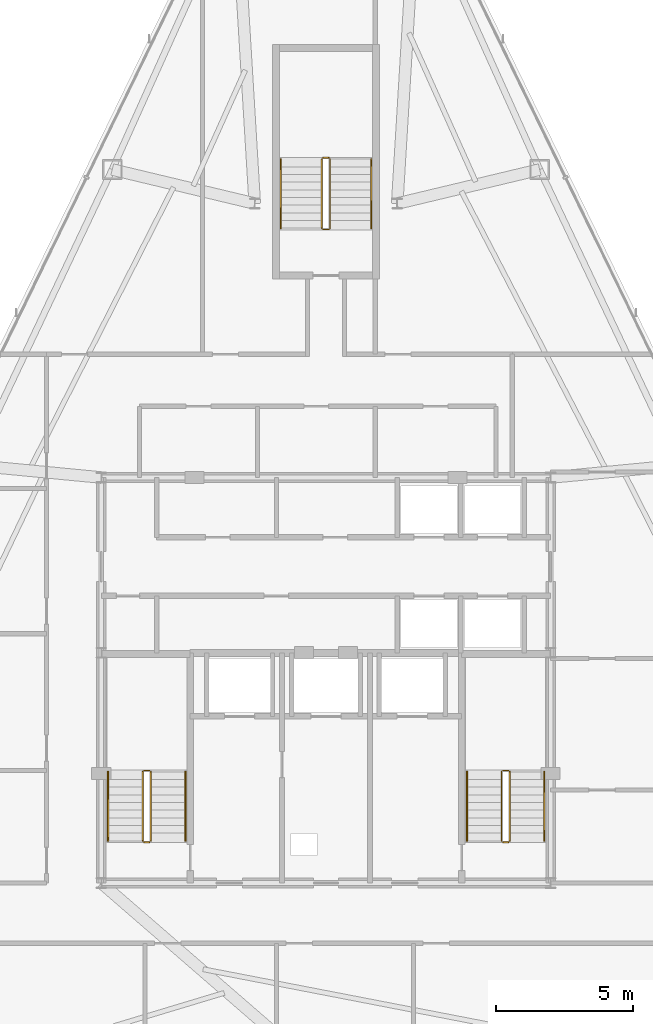
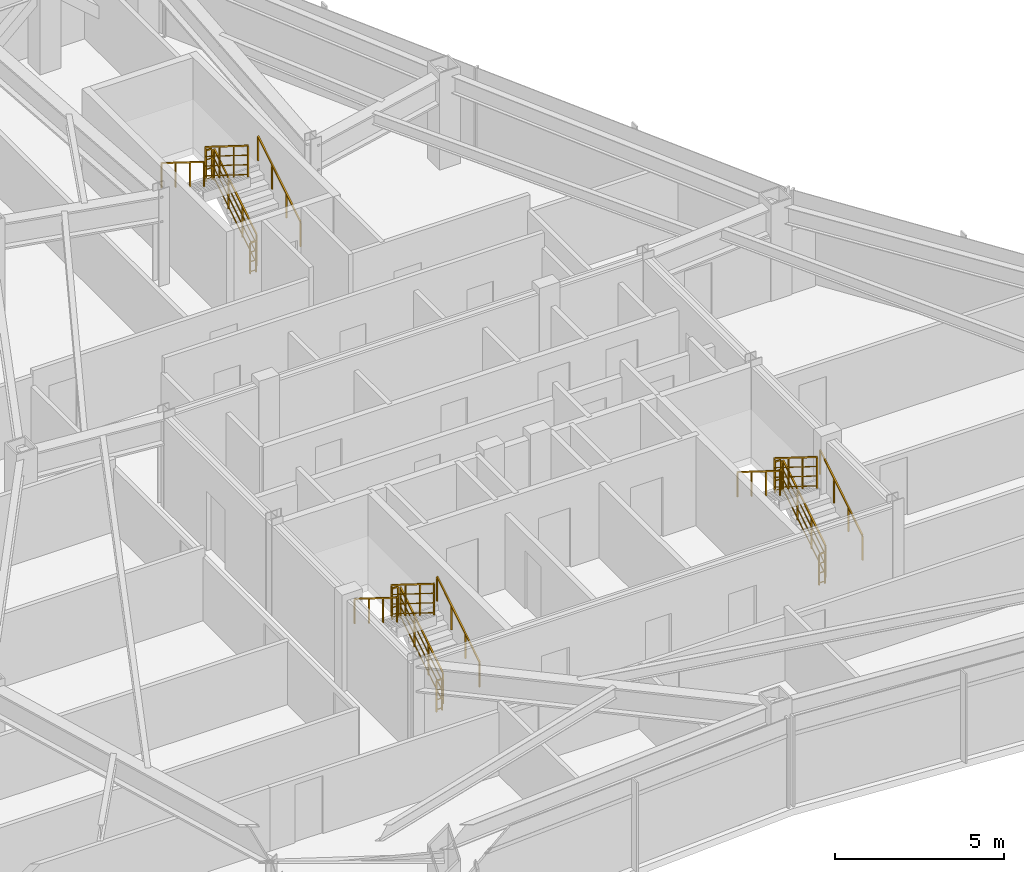
# One storey, part 12 of 12: 18 railings.
"""IFC4 building model written with IfcOpenShell, lengths in metres."""

from ifc_helpers import new_model, si_unit, direction, frame, origin, origin_2d, place, context, subcontext, project, spatial, rectangle, extrude, material, type_object, element, save


model = new_model("IFC4")

# Units and contexts
model_context = context("Model", 3, precision=1e-05, world=origin(), true_north=direction((0.0, 1.0)))
body_context = subcontext(model_context, "Body", "Model", "MODEL_VIEW")
ifc_project = project(units=[si_unit("LENGTHUNIT", "METRE"), si_unit("AREAUNIT", "SQUARE_METRE"), si_unit("VOLUMEUNIT", "CUBIC_METRE"), si_unit("PLANEANGLEUNIT", "RADIAN"), si_unit("MASSUNIT", "GRAM", prefix="KILO")], contexts=[model_context])

# Site, building, storey
site_placement = place(None, origin())
site = spatial("IfcSite", under=ifc_project, at=site_placement, CompositionType="ELEMENT")
building_placement = place(site_placement, origin())
building = spatial("IfcBuilding", under=site, at=building_placement, Name="Varakhsha Concourse Tower", CompositionType="ELEMENT")
storey_placement = place(building_placement, frame((0.0, 0.0, 204.89990234375)))
storey = spatial("IfcBuildingStorey", under=building, at=storey_placement, Name="L58", CompositionType="ELEMENT", Elevation=204.89990234375)

# Railings
ifc_material = material(Name="Brushed Austenitic Stainless Steel AISI 316", Category="steel")
railing_type_1 = type_object("IfcRailingType", Name="RL-STAIR-GUARD-1100", PredefinedType="GUARDRAIL", material=ifc_material)
railing_1_placement = place(storey_placement, frame((33.610107421875, 17.93994140625, 0.175048828125)))
element("IfcRailing", 1, at=railing_1_placement, inside=storey, type_object=railing_type_1, Name="L58 ST1 stair guard 1", PredefinedType="GUARDRAIL", context=body_context, shape_type="SweptSolid", body=[
    extrude(rectangle(XDim=0.048095703125, YDim=0.048095703125, at=origin_2d()), frame((0.0, 0.0, 1.1259765625), z_axis=(0.0, 0.848007534815, 0.529984170421), x_axis=(-1.0, 0.0, 0.0)), (0.0, 0.0, 1.0), 2.9716796875),
    extrude(rectangle(XDim=0.028076171875, YDim=0.028076171875, at=origin_2d()), frame((0.0, 0.0, 0.080078125), z_axis=(0.0, 0.848007534815, 0.529984170421), x_axis=(-1.0, 0.0, 0.0)), (0.0, 0.0, 1.0), 2.9716796875),
    extrude(rectangle(XDim=0.028076171875, YDim=0.028076171875, at=origin_2d()), frame((0.0, 0.0, 0.43701171875), z_axis=(0.0, 0.848007534815, 0.529984170421), x_axis=(-1.0, 0.0, 0.0)), (0.0, 0.0, 1.0), 2.9716796875),
    extrude(rectangle(XDim=0.028076171875, YDim=0.028076171875, at=origin_2d()), frame((0.0, 0.0, 0.781982421875), z_axis=(0.0, 0.848007534815, 0.529984170421), x_axis=(-1.0, 0.0, 0.0)), (0.0, 0.0, 1.0), 2.9716796875),
    extrude(rectangle(XDim=0.0419921875, YDim=0.0419921875, at=origin_2d()), origin(), (0.0, 0.0, 1.0), 1.101806640625),
    extrude(rectangle(XDim=0.0419921875, YDim=0.0419921875, at=origin_2d()), frame((0.0, 0.840087890625, 0.52490234375)), (0.0, 0.0, 1.0), 1.101806640625),
    extrude(rectangle(XDim=0.0419921875, YDim=0.0419921875, at=origin_2d()), frame((0.0, 1.679931640625, 1.050048828125)), (0.0, 0.0, 1.0), 1.101806640625),
    extrude(rectangle(XDim=0.0419921875, YDim=0.0419921875, at=origin_2d()), frame((0.0, 2.52001953125, 1.574951171875)), (0.0, 0.0, 1.0), 1.101806640625),
])
railing_2_placement = place(storey_placement, frame((33.56005859375, 20.510009765625, 1.75)))
element("IfcRailing", 2, at=railing_2_placement, inside=storey, type_object=railing_type_1, Name="L58 ST1 stair guard 2", PredefinedType="GUARDRAIL", context=body_context, shape_type="SweptSolid", body=[
    extrude(rectangle(XDim=0.048095703125, YDim=0.048095703125, at=origin_2d()), frame((0.0, 0.0, 1.1259765625), z_axis=(-1.0, 0.0, 0.0), x_axis=(0.0, -1.0, 0.0)), (0.0, 0.0, 1.0), 0.199951171875),
    extrude(rectangle(XDim=0.028076171875, YDim=0.028076171875, at=origin_2d()), frame((0.0, 0.0, 0.080078125), z_axis=(-1.0, 0.0, 0.0), x_axis=(0.0, -1.0, 0.0)), (0.0, 0.0, 1.0), 0.199951171875),
    extrude(rectangle(XDim=0.028076171875, YDim=0.028076171875, at=origin_2d()), frame((0.0, 0.0, 0.43701171875), z_axis=(-1.0, 0.0, 0.0), x_axis=(0.0, -1.0, 0.0)), (0.0, 0.0, 1.0), 0.199951171875),
    extrude(rectangle(XDim=0.028076171875, YDim=0.028076171875, at=origin_2d()), frame((0.0, 0.0, 0.781982421875), z_axis=(-1.0, 0.0, 0.0), x_axis=(0.0, -1.0, 0.0)), (0.0, 0.0, 1.0), 0.199951171875),
    extrude(rectangle(XDim=0.0419921875, YDim=0.0419921875, at=origin_2d()), origin(), (0.0, 0.0, 1.0), 1.101806640625),
    extrude(rectangle(XDim=0.0419921875, YDim=0.0419921875, at=origin_2d()), frame((-0.199951171875, 0.0, 0.0)), (0.0, 0.0, 1.0), 1.101806640625),
])
railing_3_placement = place(storey_placement, frame((33.31005859375, 20.4599609375, 1.925048828125)))
element("IfcRailing", 3, at=railing_3_placement, inside=storey, type_object=railing_type_1, Name="L58 ST1 stair guard 3", PredefinedType="GUARDRAIL", context=body_context, shape_type="SweptSolid", body=[
    extrude(rectangle(XDim=0.048095703125, YDim=0.048095703125, at=origin_2d()), frame((0.0, 0.0, 1.1259765625), z_axis=(0.0, -0.848007534815, 0.529984170421), x_axis=(1.0, 0.0, 0.0)), (0.0, 0.0, 1.0), 2.9716796875),
    extrude(rectangle(XDim=0.028076171875, YDim=0.028076171875, at=origin_2d()), frame((0.0, 0.0, 0.080078125), z_axis=(0.0, -0.848007534815, 0.529984170421), x_axis=(1.0, 0.0, 0.0)), (0.0, 0.0, 1.0), 2.9716796875),
    extrude(rectangle(XDim=0.028076171875, YDim=0.028076171875, at=origin_2d()), frame((0.0, 0.0, 0.43701171875), z_axis=(0.0, -0.848007534815, 0.529984170421), x_axis=(1.0, 0.0, 0.0)), (0.0, 0.0, 1.0), 2.9716796875),
    extrude(rectangle(XDim=0.028076171875, YDim=0.028076171875, at=origin_2d()), frame((0.0, 0.0, 0.781982421875), z_axis=(0.0, -0.848007534815, 0.529984170421), x_axis=(1.0, 0.0, 0.0)), (0.0, 0.0, 1.0), 2.9716796875),
    extrude(rectangle(XDim=0.0419921875, YDim=0.0419921875, at=origin_2d()), origin(), (0.0, 0.0, 1.0), 1.101806640625),
    extrude(rectangle(XDim=0.0419921875, YDim=0.0419921875, at=origin_2d()), frame((0.0, -0.840087890625, 0.52490234375)), (0.0, 0.0, 1.0), 1.101806640625),
    extrude(rectangle(XDim=0.0419921875, YDim=0.0419921875, at=origin_2d()), frame((0.0, -1.679931640625, 1.050048828125)), (0.0, 0.0, 1.0), 1.101806640625),
    extrude(rectangle(XDim=0.0419921875, YDim=0.0419921875, at=origin_2d()), frame((0.0, -2.52001953125, 1.574951171875)), (0.0, 0.0, 1.0), 1.101806640625),
])
railing_4_placement = place(storey_placement, frame((33.56005859375, 17.889892578125, 0.0)))
element("IfcRailing", 4, at=railing_4_placement, inside=storey, type_object=railing_type_1, Name="L58 ST1 stair guard 4", PredefinedType="GUARDRAIL", context=body_context, shape_type="SweptSolid", body=[
    extrude(rectangle(XDim=0.048095703125, YDim=0.048095703125, at=origin_2d()), frame((0.0, 0.0, 1.1259765625), z_axis=(-1.0, 0.0, 0.0), x_axis=(0.0, -1.0, 0.0)), (0.0, 0.0, 1.0), 0.199951171875),
    extrude(rectangle(XDim=0.028076171875, YDim=0.028076171875, at=origin_2d()), frame((0.0, 0.0, 0.080078125), z_axis=(-1.0, 0.0, 0.0), x_axis=(0.0, -1.0, 0.0)), (0.0, 0.0, 1.0), 0.199951171875),
    extrude(rectangle(XDim=0.028076171875, YDim=0.028076171875, at=origin_2d()), frame((0.0, 0.0, 0.43701171875), z_axis=(-1.0, 0.0, 0.0), x_axis=(0.0, -1.0, 0.0)), (0.0, 0.0, 1.0), 0.199951171875),
    extrude(rectangle(XDim=0.028076171875, YDim=0.028076171875, at=origin_2d()), frame((0.0, 0.0, 0.781982421875), z_axis=(-1.0, 0.0, 0.0), x_axis=(0.0, -1.0, 0.0)), (0.0, 0.0, 1.0), 0.199951171875),
    extrude(rectangle(XDim=0.0419921875, YDim=0.0419921875, at=origin_2d()), origin(), (0.0, 0.0, 1.0), 1.101806640625),
    extrude(rectangle(XDim=0.0419921875, YDim=0.0419921875, at=origin_2d()), frame((-0.199951171875, 0.0, 0.0)), (0.0, 0.0, 1.0), 1.101806640625),
])
railing_5_placement = place(storey_placement, frame((46.7099609375, 17.93994140625, 0.175048828125)))
element("IfcRailing", 5, at=railing_5_placement, inside=storey, type_object=railing_type_1, Name="L58 ST2 stair guard 1", PredefinedType="GUARDRAIL", context=body_context, shape_type="SweptSolid", body=[
    extrude(rectangle(XDim=0.048095703125, YDim=0.048095703125, at=origin_2d()), frame((0.0, 0.0, 1.1259765625), z_axis=(0.0, 0.848007534815, 0.529984170421), x_axis=(-1.0, 0.0, 0.0)), (0.0, 0.0, 1.0), 2.9716796875),
    extrude(rectangle(XDim=0.028076171875, YDim=0.028076171875, at=origin_2d()), frame((0.0, 0.0, 0.080078125), z_axis=(0.0, 0.848007534815, 0.529984170421), x_axis=(-1.0, 0.0, 0.0)), (0.0, 0.0, 1.0), 2.9716796875),
    extrude(rectangle(XDim=0.028076171875, YDim=0.028076171875, at=origin_2d()), frame((0.0, 0.0, 0.43701171875), z_axis=(0.0, 0.848007534815, 0.529984170421), x_axis=(-1.0, 0.0, 0.0)), (0.0, 0.0, 1.0), 2.9716796875),
    extrude(rectangle(XDim=0.028076171875, YDim=0.028076171875, at=origin_2d()), frame((0.0, 0.0, 0.781982421875), z_axis=(0.0, 0.848007534815, 0.529984170421), x_axis=(-1.0, 0.0, 0.0)), (0.0, 0.0, 1.0), 2.9716796875),
    extrude(rectangle(XDim=0.0419921875, YDim=0.0419921875, at=origin_2d()), origin(), (0.0, 0.0, 1.0), 1.101806640625),
    extrude(rectangle(XDim=0.0419921875, YDim=0.0419921875, at=origin_2d()), frame((0.0, 0.840087890625, 0.52490234375)), (0.0, 0.0, 1.0), 1.101806640625),
    extrude(rectangle(XDim=0.0419921875, YDim=0.0419921875, at=origin_2d()), frame((0.0, 1.679931640625, 1.050048828125)), (0.0, 0.0, 1.0), 1.101806640625),
    extrude(rectangle(XDim=0.0419921875, YDim=0.0419921875, at=origin_2d()), frame((0.0, 2.52001953125, 1.574951171875)), (0.0, 0.0, 1.0), 1.101806640625),
])
railing_6_placement = place(storey_placement, frame((46.659912109375, 20.510009765625, 1.75)))
element("IfcRailing", 6, at=railing_6_placement, inside=storey, type_object=railing_type_1, Name="L58 ST2 stair guard 2", PredefinedType="GUARDRAIL", context=body_context, shape_type="SweptSolid", body=[
    extrude(rectangle(XDim=0.048095703125, YDim=0.048095703125, at=origin_2d()), frame((0.0, 0.0, 1.1259765625), z_axis=(-1.0, 0.0, 0.0), x_axis=(0.0, -1.0, 0.0)), (0.0, 0.0, 1.0), 0.199951171875),
    extrude(rectangle(XDim=0.028076171875, YDim=0.028076171875, at=origin_2d()), frame((0.0, 0.0, 0.080078125), z_axis=(-1.0, 0.0, 0.0), x_axis=(0.0, -1.0, 0.0)), (0.0, 0.0, 1.0), 0.199951171875),
    extrude(rectangle(XDim=0.028076171875, YDim=0.028076171875, at=origin_2d()), frame((0.0, 0.0, 0.43701171875), z_axis=(-1.0, 0.0, 0.0), x_axis=(0.0, -1.0, 0.0)), (0.0, 0.0, 1.0), 0.199951171875),
    extrude(rectangle(XDim=0.028076171875, YDim=0.028076171875, at=origin_2d()), frame((0.0, 0.0, 0.781982421875), z_axis=(-1.0, 0.0, 0.0), x_axis=(0.0, -1.0, 0.0)), (0.0, 0.0, 1.0), 0.199951171875),
    extrude(rectangle(XDim=0.0419921875, YDim=0.0419921875, at=origin_2d()), origin(), (0.0, 0.0, 1.0), 1.101806640625),
    extrude(rectangle(XDim=0.0419921875, YDim=0.0419921875, at=origin_2d()), frame((-0.199951171875, 0.0, 0.0)), (0.0, 0.0, 1.0), 1.101806640625),
])
railing_7_placement = place(storey_placement, frame((46.409912109375, 20.4599609375, 1.925048828125)))
element("IfcRailing", 7, at=railing_7_placement, inside=storey, type_object=railing_type_1, Name="L58 ST2 stair guard 3", PredefinedType="GUARDRAIL", context=body_context, shape_type="SweptSolid", body=[
    extrude(rectangle(XDim=0.048095703125, YDim=0.048095703125, at=origin_2d()), frame((0.0, 0.0, 1.1259765625), z_axis=(0.0, -0.848007534815, 0.529984170421), x_axis=(1.0, 0.0, 0.0)), (0.0, 0.0, 1.0), 2.9716796875),
    extrude(rectangle(XDim=0.028076171875, YDim=0.028076171875, at=origin_2d()), frame((0.0, 0.0, 0.080078125), z_axis=(0.0, -0.848007534815, 0.529984170421), x_axis=(1.0, 0.0, 0.0)), (0.0, 0.0, 1.0), 2.9716796875),
    extrude(rectangle(XDim=0.028076171875, YDim=0.028076171875, at=origin_2d()), frame((0.0, 0.0, 0.43701171875), z_axis=(0.0, -0.848007534815, 0.529984170421), x_axis=(1.0, 0.0, 0.0)), (0.0, 0.0, 1.0), 2.9716796875),
    extrude(rectangle(XDim=0.028076171875, YDim=0.028076171875, at=origin_2d()), frame((0.0, 0.0, 0.781982421875), z_axis=(0.0, -0.848007534815, 0.529984170421), x_axis=(1.0, 0.0, 0.0)), (0.0, 0.0, 1.0), 2.9716796875),
    extrude(rectangle(XDim=0.0419921875, YDim=0.0419921875, at=origin_2d()), origin(), (0.0, 0.0, 1.0), 1.101806640625),
    extrude(rectangle(XDim=0.0419921875, YDim=0.0419921875, at=origin_2d()), frame((0.0, -0.840087890625, 0.52490234375)), (0.0, 0.0, 1.0), 1.101806640625),
    extrude(rectangle(XDim=0.0419921875, YDim=0.0419921875, at=origin_2d()), frame((0.0, -1.679931640625, 1.050048828125)), (0.0, 0.0, 1.0), 1.101806640625),
    extrude(rectangle(XDim=0.0419921875, YDim=0.0419921875, at=origin_2d()), frame((0.0, -2.52001953125, 1.574951171875)), (0.0, 0.0, 1.0), 1.101806640625),
])
railing_8_placement = place(storey_placement, frame((46.659912109375, 17.889892578125, 0.0)))
element("IfcRailing", 8, at=railing_8_placement, inside=storey, type_object=railing_type_1, Name="L58 ST2 stair guard 4", PredefinedType="GUARDRAIL", context=body_context, shape_type="SweptSolid", body=[
    extrude(rectangle(XDim=0.048095703125, YDim=0.048095703125, at=origin_2d()), frame((0.0, 0.0, 1.1259765625), z_axis=(-1.0, 0.0, 0.0), x_axis=(0.0, -1.0, 0.0)), (0.0, 0.0, 1.0), 0.199951171875),
    extrude(rectangle(XDim=0.028076171875, YDim=0.028076171875, at=origin_2d()), frame((0.0, 0.0, 0.080078125), z_axis=(-1.0, 0.0, 0.0), x_axis=(0.0, -1.0, 0.0)), (0.0, 0.0, 1.0), 0.199951171875),
    extrude(rectangle(XDim=0.028076171875, YDim=0.028076171875, at=origin_2d()), frame((0.0, 0.0, 0.43701171875), z_axis=(-1.0, 0.0, 0.0), x_axis=(0.0, -1.0, 0.0)), (0.0, 0.0, 1.0), 0.199951171875),
    extrude(rectangle(XDim=0.028076171875, YDim=0.028076171875, at=origin_2d()), frame((0.0, 0.0, 0.781982421875), z_axis=(-1.0, 0.0, 0.0), x_axis=(0.0, -1.0, 0.0)), (0.0, 0.0, 1.0), 0.199951171875),
    extrude(rectangle(XDim=0.0419921875, YDim=0.0419921875, at=origin_2d()), origin(), (0.0, 0.0, 1.0), 1.101806640625),
    extrude(rectangle(XDim=0.0419921875, YDim=0.0419921875, at=origin_2d()), frame((-0.199951171875, 0.0, 0.0)), (0.0, 0.0, 1.0), 1.101806640625),
])
railing_9_placement = place(storey_placement, frame((40.14990234375, 40.300048828125, 0.175048828125)))
element("IfcRailing", 9, at=railing_9_placement, inside=storey, type_object=railing_type_1, Name="L58 ST5 stair guard 1", PredefinedType="GUARDRAIL", context=body_context, shape_type="SweptSolid", body=[
    extrude(rectangle(XDim=0.048095703125, YDim=0.048095703125, at=origin_2d()), frame((0.0, 0.0, 1.1259765625), z_axis=(0.0, 0.848007534815, 0.529984170421), x_axis=(-1.0, 0.0, 0.0)), (0.0, 0.0, 1.0), 2.9716796875),
    extrude(rectangle(XDim=0.028076171875, YDim=0.028076171875, at=origin_2d()), frame((0.0, 0.0, 0.080078125), z_axis=(0.0, 0.848007534815, 0.529984170421), x_axis=(-1.0, 0.0, 0.0)), (0.0, 0.0, 1.0), 2.9716796875),
    extrude(rectangle(XDim=0.028076171875, YDim=0.028076171875, at=origin_2d()), frame((0.0, 0.0, 0.43701171875), z_axis=(0.0, 0.848007534815, 0.529984170421), x_axis=(-1.0, 0.0, 0.0)), (0.0, 0.0, 1.0), 2.9716796875),
    extrude(rectangle(XDim=0.028076171875, YDim=0.028076171875, at=origin_2d()), frame((0.0, 0.0, 0.781982421875), z_axis=(0.0, 0.848007534815, 0.529984170421), x_axis=(-1.0, 0.0, 0.0)), (0.0, 0.0, 1.0), 2.9716796875),
    extrude(rectangle(XDim=0.0419921875, YDim=0.0419921875, at=origin_2d()), origin(), (0.0, 0.0, 1.0), 1.101806640625),
    extrude(rectangle(XDim=0.0419921875, YDim=0.0419921875, at=origin_2d()), frame((0.0, 0.840087890625, 0.52490234375)), (0.0, 0.0, 1.0), 1.101806640625),
    extrude(rectangle(XDim=0.0419921875, YDim=0.0419921875, at=origin_2d()), frame((0.0, 1.679931640625, 1.050048828125)), (0.0, 0.0, 1.0), 1.101806640625),
    extrude(rectangle(XDim=0.0419921875, YDim=0.0419921875, at=origin_2d()), frame((0.0, 2.52001953125, 1.574951171875)), (0.0, 0.0, 1.0), 1.101806640625),
])
railing_10_placement = place(storey_placement, frame((40.10009765625, 42.8701171875, 1.75)))
element("IfcRailing", 10, at=railing_10_placement, inside=storey, type_object=railing_type_1, Name="L58 ST5 stair guard 2", PredefinedType="GUARDRAIL", context=body_context, shape_type="SweptSolid", body=[
    extrude(rectangle(XDim=0.048095703125, YDim=0.048095703125, at=origin_2d()), frame((0.0, 0.0, 1.1259765625), z_axis=(-1.0, 0.0, 0.0), x_axis=(0.0, -1.0, 0.0)), (0.0, 0.0, 1.0), 0.2001953125),
    extrude(rectangle(XDim=0.028076171875, YDim=0.028076171875, at=origin_2d()), frame((0.0, 0.0, 0.080078125), z_axis=(-1.0, 0.0, 0.0), x_axis=(0.0, -1.0, 0.0)), (0.0, 0.0, 1.0), 0.2001953125),
    extrude(rectangle(XDim=0.028076171875, YDim=0.028076171875, at=origin_2d()), frame((0.0, 0.0, 0.43701171875), z_axis=(-1.0, 0.0, 0.0), x_axis=(0.0, -1.0, 0.0)), (0.0, 0.0, 1.0), 0.2001953125),
    extrude(rectangle(XDim=0.028076171875, YDim=0.028076171875, at=origin_2d()), frame((0.0, 0.0, 0.781982421875), z_axis=(-1.0, 0.0, 0.0), x_axis=(0.0, -1.0, 0.0)), (0.0, 0.0, 1.0), 0.2001953125),
    extrude(rectangle(XDim=0.0419921875, YDim=0.0419921875, at=origin_2d()), origin(), (0.0, 0.0, 1.0), 1.101806640625),
    extrude(rectangle(XDim=0.0419921875, YDim=0.0419921875, at=origin_2d()), frame((-0.2001953125, 0.0, 0.0)), (0.0, 0.0, 1.0), 1.101806640625),
])
railing_11_placement = place(storey_placement, frame((39.85009765625, 42.820068359375, 1.925048828125)))
element("IfcRailing", 11, at=railing_11_placement, inside=storey, type_object=railing_type_1, Name="L58 ST5 stair guard 3", PredefinedType="GUARDRAIL", context=body_context, shape_type="SweptSolid", body=[
    extrude(rectangle(XDim=0.048095703125, YDim=0.048095703125, at=origin_2d()), frame((0.0, 0.0, 1.1259765625), z_axis=(0.0, -0.848007534815, 0.529984170421), x_axis=(1.0, 0.0, 0.0)), (0.0, 0.0, 1.0), 2.9716796875),
    extrude(rectangle(XDim=0.028076171875, YDim=0.028076171875, at=origin_2d()), frame((0.0, 0.0, 0.080078125), z_axis=(0.0, -0.848007534815, 0.529984170421), x_axis=(1.0, 0.0, 0.0)), (0.0, 0.0, 1.0), 2.9716796875),
    extrude(rectangle(XDim=0.028076171875, YDim=0.028076171875, at=origin_2d()), frame((0.0, 0.0, 0.43701171875), z_axis=(0.0, -0.848007534815, 0.529984170421), x_axis=(1.0, 0.0, 0.0)), (0.0, 0.0, 1.0), 2.9716796875),
    extrude(rectangle(XDim=0.028076171875, YDim=0.028076171875, at=origin_2d()), frame((0.0, 0.0, 0.781982421875), z_axis=(0.0, -0.848007534815, 0.529984170421), x_axis=(1.0, 0.0, 0.0)), (0.0, 0.0, 1.0), 2.9716796875),
    extrude(rectangle(XDim=0.0419921875, YDim=0.0419921875, at=origin_2d()), origin(), (0.0, 0.0, 1.0), 1.101806640625),
    extrude(rectangle(XDim=0.0419921875, YDim=0.0419921875, at=origin_2d()), frame((0.0, -0.840087890625, 0.52490234375)), (0.0, 0.0, 1.0), 1.101806640625),
    extrude(rectangle(XDim=0.0419921875, YDim=0.0419921875, at=origin_2d()), frame((0.0, -1.679931640625, 1.050048828125)), (0.0, 0.0, 1.0), 1.101806640625),
    extrude(rectangle(XDim=0.0419921875, YDim=0.0419921875, at=origin_2d()), frame((0.0, -2.52001953125, 1.574951171875)), (0.0, 0.0, 1.0), 1.101806640625),
])
railing_12_placement = place(storey_placement, frame((40.10009765625, 40.25, 0.0)))
element("IfcRailing", 12, at=railing_12_placement, inside=storey, type_object=railing_type_1, Name="L58 ST5 stair guard 4", PredefinedType="GUARDRAIL", context=body_context, shape_type="SweptSolid", body=[
    extrude(rectangle(XDim=0.048095703125, YDim=0.048095703125, at=origin_2d()), frame((0.0, 0.0, 1.1259765625), z_axis=(-1.0, 0.0, 0.0), x_axis=(0.0, -1.0, 0.0)), (0.0, 0.0, 1.0), 0.2001953125),
    extrude(rectangle(XDim=0.028076171875, YDim=0.028076171875, at=origin_2d()), frame((0.0, 0.0, 0.080078125), z_axis=(-1.0, 0.0, 0.0), x_axis=(0.0, -1.0, 0.0)), (0.0, 0.0, 1.0), 0.2001953125),
    extrude(rectangle(XDim=0.028076171875, YDim=0.028076171875, at=origin_2d()), frame((0.0, 0.0, 0.43701171875), z_axis=(-1.0, 0.0, 0.0), x_axis=(0.0, -1.0, 0.0)), (0.0, 0.0, 1.0), 0.2001953125),
    extrude(rectangle(XDim=0.028076171875, YDim=0.028076171875, at=origin_2d()), frame((0.0, 0.0, 0.781982421875), z_axis=(-1.0, 0.0, 0.0), x_axis=(0.0, -1.0, 0.0)), (0.0, 0.0, 1.0), 0.2001953125),
    extrude(rectangle(XDim=0.0419921875, YDim=0.0419921875, at=origin_2d()), origin(), (0.0, 0.0, 1.0), 1.101806640625),
    extrude(rectangle(XDim=0.0419921875, YDim=0.0419921875, at=origin_2d()), frame((-0.2001953125, 0.0, 0.0)), (0.0, 0.0, 1.0), 1.101806640625),
])
railing_type_2 = type_object("IfcRailingType", Name="RL-STAIR-RAIL-915", PredefinedType="HANDRAIL", material=ifc_material)
railing_13_placement = place(storey_placement, frame((34.8701171875, 17.93994140625, 0.35009765625)))
element("IfcRailing", 13, at=railing_13_placement, inside=storey, type_object=railing_type_2, Name="L58 ST1 stair handrail 1", PredefinedType="HANDRAIL", context=body_context, shape_type="SweptSolid", body=[
    extrude(rectangle(XDim=0.048095703125, YDim=0.048095703125, at=origin_2d()), frame((0.0, 0.0, 0.89111328125), z_axis=(0.0, 0.848007534815, 0.529984170421), x_axis=(-1.0, 0.0, 0.0)), (0.0, 0.0, 1.0), 2.9716796875),
    extrude(rectangle(XDim=0.0419921875, YDim=0.0419921875, at=origin_2d()), origin(), (0.0, 0.0, 1.0), 0.866943359375),
    extrude(rectangle(XDim=0.0419921875, YDim=0.0419921875, at=origin_2d()), frame((0.0, 0.840087890625, 0.52490234375)), (0.0, 0.0, 1.0), 0.866943359375),
    extrude(rectangle(XDim=0.0419921875, YDim=0.0419921875, at=origin_2d()), frame((0.0, 1.679931640625, 1.050048828125)), (0.0, 0.0, 1.0), 0.866943359375),
    extrude(rectangle(XDim=0.0419921875, YDim=0.0419921875, at=origin_2d()), frame((0.0, 2.52001953125, 1.574951171875)), (0.0, 0.0, 1.0), 0.866943359375),
])
railing_14_placement = place(storey_placement, frame((32.050048828125, 20.4599609375, 2.10009765625)))
element("IfcRailing", 14, at=railing_14_placement, inside=storey, type_object=railing_type_2, Name="L58 ST1 stair handrail 2", PredefinedType="HANDRAIL", context=body_context, shape_type="SweptSolid", body=[
    extrude(rectangle(XDim=0.048095703125, YDim=0.048095703125, at=origin_2d()), frame((0.0, 0.0, 0.89111328125), z_axis=(0.0, -0.848007534815, 0.529984170421), x_axis=(1.0, 0.0, 0.0)), (0.0, 0.0, 1.0), 2.9716796875),
    extrude(rectangle(XDim=0.0419921875, YDim=0.0419921875, at=origin_2d()), origin(), (0.0, 0.0, 1.0), 0.866943359375),
    extrude(rectangle(XDim=0.0419921875, YDim=0.0419921875, at=origin_2d()), frame((0.0, -0.840087890625, 0.52490234375)), (0.0, 0.0, 1.0), 0.866943359375),
    extrude(rectangle(XDim=0.0419921875, YDim=0.0419921875, at=origin_2d()), frame((0.0, -1.679931640625, 1.050048828125)), (0.0, 0.0, 1.0), 0.866943359375),
    extrude(rectangle(XDim=0.0419921875, YDim=0.0419921875, at=origin_2d()), frame((0.0, -2.52001953125, 1.574951171875)), (0.0, 0.0, 1.0), 0.866943359375),
])
railing_15_placement = place(storey_placement, frame((47.969970703125, 17.93994140625, 0.35009765625)))
element("IfcRailing", 15, at=railing_15_placement, inside=storey, type_object=railing_type_2, Name="L58 ST2 stair handrail 1", PredefinedType="HANDRAIL", context=body_context, shape_type="SweptSolid", body=[
    extrude(rectangle(XDim=0.048095703125, YDim=0.048095703125, at=origin_2d()), frame((0.0, 0.0, 0.89111328125), z_axis=(0.0, 0.848007534815, 0.529984170421), x_axis=(-1.0, 0.0, 0.0)), (0.0, 0.0, 1.0), 2.9716796875),
    extrude(rectangle(XDim=0.0419921875, YDim=0.0419921875, at=origin_2d()), origin(), (0.0, 0.0, 1.0), 0.866943359375),
    extrude(rectangle(XDim=0.0419921875, YDim=0.0419921875, at=origin_2d()), frame((0.0, 0.840087890625, 0.52490234375)), (0.0, 0.0, 1.0), 0.866943359375),
    extrude(rectangle(XDim=0.0419921875, YDim=0.0419921875, at=origin_2d()), frame((0.0, 1.679931640625, 1.050048828125)), (0.0, 0.0, 1.0), 0.866943359375),
    extrude(rectangle(XDim=0.0419921875, YDim=0.0419921875, at=origin_2d()), frame((0.0, 2.52001953125, 1.574951171875)), (0.0, 0.0, 1.0), 0.866943359375),
])
railing_16_placement = place(storey_placement, frame((45.14990234375, 20.4599609375, 2.10009765625)))
element("IfcRailing", 16, at=railing_16_placement, inside=storey, type_object=railing_type_2, Name="L58 ST2 stair handrail 2", PredefinedType="HANDRAIL", context=body_context, shape_type="SweptSolid", body=[
    extrude(rectangle(XDim=0.048095703125, YDim=0.048095703125, at=origin_2d()), frame((0.0, 0.0, 0.89111328125), z_axis=(0.0, -0.848007534815, 0.529984170421), x_axis=(1.0, 0.0, 0.0)), (0.0, 0.0, 1.0), 2.9716796875),
    extrude(rectangle(XDim=0.0419921875, YDim=0.0419921875, at=origin_2d()), origin(), (0.0, 0.0, 1.0), 0.866943359375),
    extrude(rectangle(XDim=0.0419921875, YDim=0.0419921875, at=origin_2d()), frame((0.0, -0.840087890625, 0.52490234375)), (0.0, 0.0, 1.0), 0.866943359375),
    extrude(rectangle(XDim=0.0419921875, YDim=0.0419921875, at=origin_2d()), frame((0.0, -1.679931640625, 1.050048828125)), (0.0, 0.0, 1.0), 0.866943359375),
    extrude(rectangle(XDim=0.0419921875, YDim=0.0419921875, at=origin_2d()), frame((0.0, -2.52001953125, 1.574951171875)), (0.0, 0.0, 1.0), 0.866943359375),
])
railing_17_placement = place(storey_placement, frame((41.64990234375, 40.300048828125, 0.35009765625)))
element("IfcRailing", 17, at=railing_17_placement, inside=storey, type_object=railing_type_2, Name="L58 ST5 stair handrail 1", PredefinedType="HANDRAIL", context=body_context, shape_type="SweptSolid", body=[
    extrude(rectangle(XDim=0.048095703125, YDim=0.048095703125, at=origin_2d()), frame((0.0, 0.0, 0.89111328125), z_axis=(0.0, 0.848007534815, 0.529984170421), x_axis=(-1.0, 0.0, 0.0)), (0.0, 0.0, 1.0), 2.9716796875),
    extrude(rectangle(XDim=0.0419921875, YDim=0.0419921875, at=origin_2d()), origin(), (0.0, 0.0, 1.0), 0.866943359375),
    extrude(rectangle(XDim=0.0419921875, YDim=0.0419921875, at=origin_2d()), frame((0.0, 0.840087890625, 0.52490234375)), (0.0, 0.0, 1.0), 0.866943359375),
    extrude(rectangle(XDim=0.0419921875, YDim=0.0419921875, at=origin_2d()), frame((0.0, 1.679931640625, 1.050048828125)), (0.0, 0.0, 1.0), 0.866943359375),
    extrude(rectangle(XDim=0.0419921875, YDim=0.0419921875, at=origin_2d()), frame((0.0, 2.52001953125, 1.574951171875)), (0.0, 0.0, 1.0), 0.866943359375),
])
railing_18_placement = place(storey_placement, frame((38.35009765625, 42.820068359375, 2.10009765625)))
element("IfcRailing", 18, at=railing_18_placement, inside=storey, type_object=railing_type_2, Name="L58 ST5 stair handrail 2", PredefinedType="HANDRAIL", context=body_context, shape_type="SweptSolid", body=[
    extrude(rectangle(XDim=0.048095703125, YDim=0.048095703125, at=origin_2d()), frame((0.0, 0.0, 0.89111328125), z_axis=(0.0, -0.848007534815, 0.529984170421), x_axis=(1.0, 0.0, 0.0)), (0.0, 0.0, 1.0), 2.9716796875),
    extrude(rectangle(XDim=0.0419921875, YDim=0.0419921875, at=origin_2d()), origin(), (0.0, 0.0, 1.0), 0.866943359375),
    extrude(rectangle(XDim=0.0419921875, YDim=0.0419921875, at=origin_2d()), frame((0.0, -0.840087890625, 0.52490234375)), (0.0, 0.0, 1.0), 0.866943359375),
    extrude(rectangle(XDim=0.0419921875, YDim=0.0419921875, at=origin_2d()), frame((0.0, -1.679931640625, 1.050048828125)), (0.0, 0.0, 1.0), 0.866943359375),
    extrude(rectangle(XDim=0.0419921875, YDim=0.0419921875, at=origin_2d()), frame((0.0, -2.52001953125, 1.574951171875)), (0.0, 0.0, 1.0), 0.866943359375),
])

save(model, "model.ifc")
